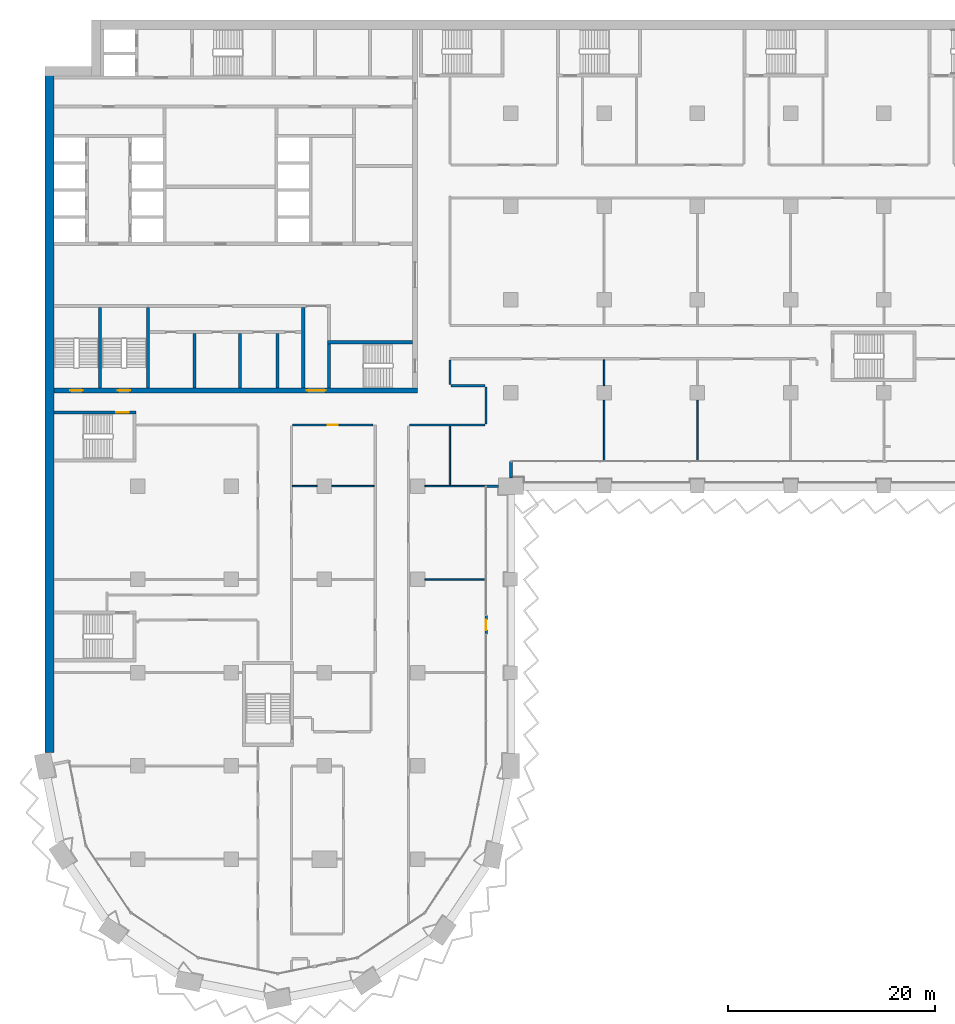
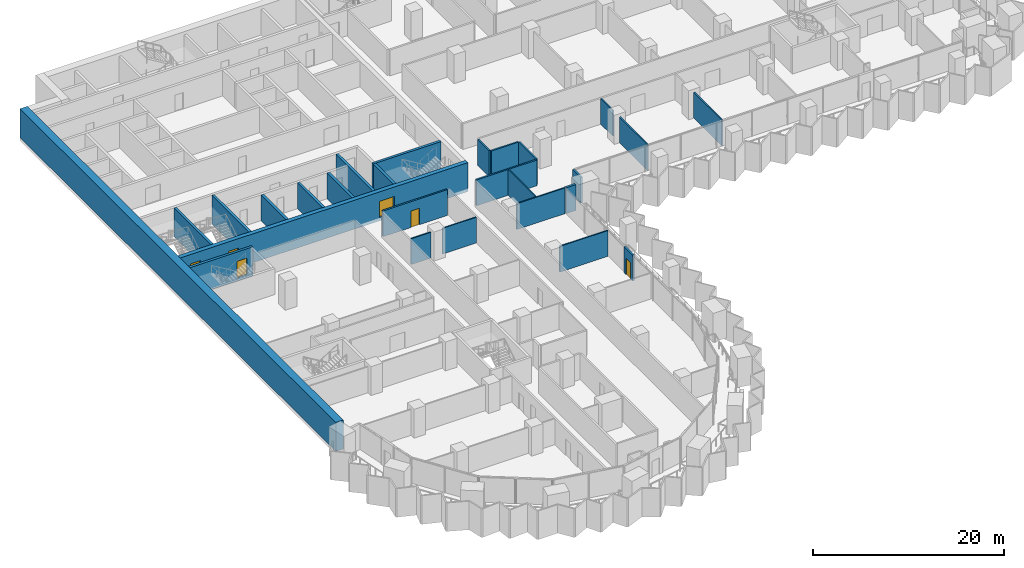
# One storey, part 12 of 28: 27 walls, 6 doors, 6 openings.
"""IFC4 building model written with IfcOpenShell, lengths in metres."""

from ifc_helpers import new_model, si_unit, direction, frame, frame_2d, origin, place, context, subcontext, project, spatial, rectangle, extrude, material, layer, layer_set, type_object, element, fill, save


model = new_model("IFC4")

# Units and contexts
model_context = context("Model", 3, precision=1e-05, world=origin(), true_north=direction((0.0, 1.0)))
body_context = subcontext(model_context, "Body", "Model", "MODEL_VIEW")
ifc_project = project(units=[si_unit("LENGTHUNIT", "METRE"), si_unit("AREAUNIT", "SQUARE_METRE"), si_unit("VOLUMEUNIT", "CUBIC_METRE"), si_unit("PLANEANGLEUNIT", "RADIAN"), si_unit("MASSUNIT", "GRAM", prefix="KILO")], contexts=[model_context])

# Site, building, storey
site_placement = place(None, origin())
site = spatial("IfcSite", under=ifc_project, at=site_placement, CompositionType="ELEMENT")
building_placement = place(site_placement, origin())
building = spatial("IfcBuilding", under=site, at=building_placement, Name="Hunhe Ridgeline Campus", CompositionType="ELEMENT")
storey_placement = place(building_placement, frame((0.0, 0.0, 58.0)))
storey = spatial("IfcBuildingStorey", under=building, at=storey_placement, Name="L13", CompositionType="ELEMENT", Elevation=58.0)

# Walls
ifc_material_1 = material(Name="Masonry concrete blockwork", Category="masonry")
ifc_layer_1 = layer(ifc_material_1, 0.300048828125)
ifc_layer_set_1 = layer_set([ifc_layer_1], Name="Core room partition 300 concrete block")
wall_type_1 = type_object("IfcWallType", Name="Core room partition 300 concrete block", PredefinedType="PARTITIONING", material=ifc_layer_set_1)
for number, where, z_axis, x_axis, name in (
    (1, (14.449951171875, 63.5, 0.0), (0.0, 0.0, 1.0), (0.0, 1.0, 0.0), "L13 core partition 47"),
    (2, (18.85009765625, 63.5, 0.0), (0.0, 0.0, 1.0), (0.0, 1.0, 0.0), "L13 core partition 48"),
    (3, (22.449951171875, 63.5, 0.0), (0.0, 0.0, 1.0), (0.0, 1.0, 0.0), "L13 core partition 53"),
):
    element("IfcWall", number, at=place(storey_placement, frame(where, z_axis=z_axis, x_axis=x_axis)), inside=storey, type_object=wall_type_1, Name=name, PredefinedType="PARTITIONING", context=body_context, shape_type="SweptSolid", body=[
        extrude(rectangle(XDim=5.25, YDim=0.300048828125, at=frame_2d((2.625, 0.0))), origin(), (0.0, 0.0, 1.0), 3.300048828125),
    ])
wall_1_placement = place(storey_placement, frame((24.949951171875, 63.5, 0.0), z_axis=(0.0, 0.0, 1.0), x_axis=(0.0, 1.0, 0.0)))
element("IfcWall", 4, at=wall_1_placement, inside=storey, type_object=wall_type_1, Name="L13 core partition 55", PredefinedType="PARTITIONING", context=body_context, shape_type="SweptSolid", body=[
    extrude(rectangle(XDim=7.75, YDim=0.300048828125, at=frame_2d((3.875, 0.0))), origin(), (0.0, 0.0, 1.0), 3.300048828125),
])

# Wall, openings, doors
ifc_material_2 = material(Name="Concrete C80", Category="concrete")
ifc_layer_2 = layer(ifc_material_2, 0.5)
ifc_layer_set_2 = layer_set([ifc_layer_2], Name="Core wall 500 reinforced concrete C80")
wall_type_2 = type_object("IfcWallType", Name="Core wall 500 reinforced concrete C80", PredefinedType="SOLIDWALL", material=ifc_layer_set_2)
wall_2_placement = place(storey_placement, frame((0.89990234375, 63.25, -0.39990234375), z_axis=(0.0, 0.0, 1.0), x_axis=(1.0, 0.0, 0.0)))
wall_2 = element("IfcWall", 5, at=wall_2_placement, inside=storey, type_object=wall_type_2, Name="L13 core wall 7", PredefinedType="SOLIDWALL", context=body_context, shape_type="SweptSolid", body=[
    extrude(rectangle(XDim=35.10009765625, YDim=0.5, at=frame_2d((17.550048828125, 0.0))), origin(), (0.0, 0.0, 1.0), 3.699951171875),
])
opening_1_placement = place(wall_2_placement, frame((24.39990234375, 0.0, 0.39990234375)))
opening_1 = element("IfcOpeningElement", 6, at=opening_1_placement, cuts=wall_2, Name="Opening CD6", PredefinedType="OPENING", context=body_context, shape_type="SweptSolid", body=[
    extrude(rectangle(XDim=1.800048828125, YDim=2.10009765625, at=frame_2d((0.89990234375, 1.050048828125))), frame((0.0, 0.25, 0.0), z_axis=(0.0, -1.0, 0.0), x_axis=(1.0, 0.0, 0.0)), (0.0, 0.0, 1.0), 0.5),
])
opening_2_placement = place(wall_2_placement, frame((1.550048828125, 0.0, 0.39990234375)))
opening_2 = element("IfcOpeningElement", 7, at=opening_2_placement, cuts=wall_2, Name="Opening CD13", PredefinedType="OPENING", context=body_context, shape_type="SweptSolid", body=[
    extrude(rectangle(XDim=1.199951171875, YDim=2.10009765625, at=frame_2d((0.60009765625, 1.050048828125))), frame((0.0, 0.25, 0.0), z_axis=(0.0, -1.0, 0.0), x_axis=(1.0, 0.0, 0.0)), (0.0, 0.0, 1.0), 0.5),
])
opening_3_placement = place(wall_2_placement, frame((6.14990234375, 0.0, 0.39990234375)))
opening_3 = element("IfcOpeningElement", 8, at=opening_3_placement, cuts=wall_2, Name="Opening CD14", PredefinedType="OPENING", context=body_context, shape_type="SweptSolid", body=[
    extrude(rectangle(XDim=1.199951171875, YDim=2.10009765625, at=frame_2d((0.60009765625, 1.050048828125))), frame((0.0, 0.25, 0.0), z_axis=(0.0, -1.0, 0.0), x_axis=(1.0, 0.0, 0.0)), (0.0, 0.0, 1.0), 0.5),
])
ifc_material_3 = material(Name="Anodised aluminium and glass", Category="aluminium")
door_type_1 = type_object("IfcDoorType", Name="Glazed double door 1800x2100", OperationType="DOUBLE_DOOR_SINGLE_SWING", PredefinedType="DOOR", material=ifc_material_3)
door_1_placement = place(opening_1_placement, frame((1.800048828125, 0.0, 0.0), z_axis=(0.0, 0.0, 1.0), x_axis=(-1.0, 0.0, 0.0)))
door_1 = element("IfcDoor", 9, at=door_1_placement, inside=storey, type_object=door_type_1, Name="L13 door VEST-FLOOR", OperationType="DOUBLE_DOOR_SINGLE_SWING", OverallHeight=2.10009765625, OverallWidth=1.800048828125, PredefinedType="DOOR", context=body_context, shape_type="SweptSolid", body=[
    extrude(rectangle(XDim=1.800048828125, YDim=2.10009765625, at=frame_2d((0.89990234375, 1.050048828125))), frame((0.0, 0.02490234375, 0.0), z_axis=(0.0, -1.0, 0.0), x_axis=(1.0, 0.0, 0.0)), (0.0, 0.0, 1.0), 0.050048828125),
])
fill(opening_1, door_1)
ifc_material_4 = material(Name="Hollow metal fire door leaf")
door_type_2 = type_object("IfcDoorType", Name="Stair door 1200x2100 FD60", OperationType="SINGLE_SWING_LEFT", PredefinedType="DOOR", material=ifc_material_4)
door_2_placement = place(opening_2_placement, frame((1.199951171875, 0.0, 0.0), z_axis=(0.0, 0.0, 1.0), x_axis=(-1.0, 0.0, 0.0)))
door_2 = element("IfcDoor", 10, at=door_2_placement, inside=storey, type_object=door_type_2, Name="L13 door S3", OperationType="SINGLE_SWING_RIGHT", OverallHeight=2.10009765625, OverallWidth=1.199951171875, PredefinedType="DOOR", context=body_context, shape_type="SweptSolid", body=[
    extrude(rectangle(XDim=1.199951171875, YDim=2.10009765625, at=frame_2d((0.60009765625, 1.050048828125))), frame((0.0, 0.02490234375, 0.0), z_axis=(0.0, -1.0, 0.0), x_axis=(1.0, 0.0, 0.0)), (0.0, 0.0, 1.0), 0.050048828125),
])
fill(opening_2, door_2)
door_3_placement = place(opening_3_placement, frame((1.199951171875, 0.0, 0.0), z_axis=(0.0, 0.0, 1.0), x_axis=(-1.0, 0.0, 0.0)))
door_3 = element("IfcDoor", 11, at=door_3_placement, inside=storey, type_object=door_type_2, Name="L13 door S4", OperationType="SINGLE_SWING_LEFT", OverallHeight=2.10009765625, OverallWidth=1.199951171875, PredefinedType="DOOR", context=body_context, shape_type="SweptSolid", body=[
    extrude(rectangle(XDim=1.199951171875, YDim=2.10009765625, at=frame_2d((0.60009765625, 1.050048828125))), frame((0.0, 0.02490234375, 0.0), z_axis=(0.0, -1.0, 0.0), x_axis=(1.0, 0.0, 0.0)), (0.0, 0.0, 1.0), 0.050048828125),
])
fill(opening_3, door_3)

# Walls
ifc_material_5 = material(Name="Concrete C30", Category="concrete")
ifc_layer_3 = layer(ifc_material_5, 0.25)
ifc_layer_set_3 = layer_set([ifc_layer_3], Name="Corner return wall 250 Concrete C30")
wall_type_3 = type_object("IfcWallType", Name="Corner return wall 250 Concrete C30", PredefinedType="SOLIDWALL", material=ifc_layer_set_3)
wall_3_placement = place(storey_placement, frame((42.59912109375, 54.0, 0.0), z_axis=(0.0, 0.0, 1.0), x_axis=(0.999999917344, 0.000406586671, 0.0)))
element("IfcWall", 12, at=wall_3_placement, inside=storey, type_object=wall_type_3, Name="Corner return wall 2", PredefinedType="SOLIDWALL", context=body_context, shape_type="SweptSolid", body=[
    extrude(rectangle(XDim=1.200927734375, YDim=0.25, at=frame_2d((0.6005859375, 0.0))), origin(), (0.0, 0.0, 1.0), 3.300048828125),
])
wall_4_placement = place(storey_placement, frame((44.999267578125, 54.800048828125, 0.0), z_axis=(0.0, 0.0, 1.0), x_axis=(0.000152508767, 0.999999988371, 0.0)))
element("IfcWall", 13, at=wall_4_placement, inside=storey, type_object=wall_type_3, Name="Corner return wall 3", PredefinedType="SOLIDWALL", context=body_context, shape_type="SweptSolid", body=[
    extrude(rectangle(XDim=1.600830078125, YDim=0.25, at=frame_2d((0.80029296875, 0.0))), origin(), (0.0, 0.0, 1.0), 3.300048828125),
])

# Wall, opening, door
ifc_material_6 = material(Name="Gypsum board partition")
ifc_layer_4 = layer(ifc_material_6, 0.199951171875)
ifc_layer_set_4 = layer_set([ifc_layer_4], Name="Corridor partition 200 gypsum board on steel studs")
wall_type_4 = type_object("IfcWallType", Name="Corridor partition 200 gypsum board on steel studs", PredefinedType="PARTITIONING", material=ifc_layer_set_4)
wall_5_placement = place(storey_placement, frame((31.6982421875, 59.89990234375, 0.0), z_axis=(0.0, 0.0, 1.0), x_axis=(-1.0, 0.0, 0.0)))
wall_5 = element("IfcWall", 14, at=wall_5_placement, inside=storey, type_object=wall_type_4, Name="F-L13-wall-036", PredefinedType="PARTITIONING", context=body_context, shape_type="SweptSolid", body=[
    extrude(rectangle(XDim=7.79833984375, YDim=0.199951171875, at=frame_2d((3.899169921875, 0.0))), origin(), (0.0, 0.0, 1.0), 3.300048828125),
])
opening_4_placement = place(wall_5_placement, frame((3.399169921875, 0.0, 0.0)))
opening_4 = element("IfcOpeningElement", 15, at=opening_4_placement, cuts=wall_5, Name="Opening RD1-022", PredefinedType="OPENING", context=body_context, shape_type="SweptSolid", body=[
    extrude(rectangle(XDim=1.0, YDim=2.10009765625, at=frame_2d((0.5, 1.050048828125))), frame((0.0, 0.10009765625, 0.0), z_axis=(0.0, -1.0, 0.0), x_axis=(1.0, 0.0, 0.0)), (0.0, 0.0, 1.0), 0.199951171875),
])
ifc_material_7 = material(Name="Timber door leaf", Category="wood")
door_type_3 = type_object("IfcDoorType", Name="Single fire door 1000x2100 timber FD60", OperationType="NOTDEFINED", PredefinedType="DOOR", material=ifc_material_7)
door_4_placement = place(opening_4_placement, origin())
door_4 = element("IfcDoor", 16, at=door_4_placement, inside=storey, type_object=door_type_3, Name="F-L13-door-022", OperationType="SINGLE_SWING_LEFT", OverallHeight=2.10009765625, OverallWidth=1.0, PredefinedType="DOOR", context=body_context, shape_type="SweptSolid", body=[
    extrude(rectangle(XDim=1.0, YDim=2.10009765625, at=frame_2d((0.5, 1.050048828125))), frame((0.0, 0.02490234375, 0.0), z_axis=(0.0, -1.0, 0.0), x_axis=(1.0, 0.0, 0.0)), (0.0, 0.0, 1.0), 0.050048828125),
])
fill(opening_4, door_4)

# Walls
wall_6_placement = place(storey_placement, frame((42.5, 59.89990234375, 0.0), z_axis=(0.0, 0.0, 1.0), x_axis=(-1.0, 0.0, 0.0)))
element("IfcWall", 17, at=wall_6_placement, inside=storey, type_object=wall_type_4, Name="F-L13-wall-037", PredefinedType="PARTITIONING", context=body_context, shape_type="SweptSolid", body=[
    extrude(rectangle(XDim=7.300048828125, YDim=0.199951171875, at=frame_2d((3.64990234375, 0.0))), origin(), (0.0, 0.0, 1.0), 3.300048828125),
])
wall_7_placement = place(storey_placement, frame((39.199951171875, 63.699951171875, 0.0), z_axis=(0.0, 0.0, 1.0), x_axis=(1.0, 0.0, 0.0)))
element("IfcWall", 18, at=wall_7_placement, inside=storey, type_object=wall_type_4, Name="F-L13-wall-038", PredefinedType="PARTITIONING", context=body_context, shape_type="SweptSolid", body=[
    extrude(rectangle(XDim=3.300048828125, YDim=0.199951171875, at=frame_2d((1.64990234375, 0.0))), origin(), (0.0, 0.0, 1.0), 3.300048828125),
])
wall_8_placement = place(storey_placement, frame((39.10009765625, 66.174560546875, 0.0), z_axis=(0.0, 0.0, 1.0), x_axis=(0.0, -1.0, 0.0)))
element("IfcWall", 19, at=wall_8_placement, inside=storey, type_object=wall_type_4, Name="F-L13-wall-062", PredefinedType="PARTITIONING", context=body_context, shape_type="SweptSolid", body=[
    extrude(rectangle(XDim=2.37451171875, YDim=0.199951171875, at=frame_2d((1.187255859375, 0.0))), origin(), (0.0, 0.0, 1.0), 3.300048828125),
])
wall_9_placement = place(storey_placement, frame((42.60009765625, 63.60009765625, 0.0), z_axis=(0.0, 0.0, 1.0), x_axis=(0.0, -1.0, 0.0)))
element("IfcWall", 20, at=wall_9_placement, inside=storey, type_object=wall_type_4, Name="F-L13-wall-065", PredefinedType="PARTITIONING", context=body_context, shape_type="SweptSolid", body=[
    extrude(rectangle(XDim=3.60009765625, YDim=0.199951171875, at=frame_2d((1.800048828125, 0.0))), origin(), (0.0, 0.0, 1.0), 3.300048828125),
])

# Wall, opening, door
ifc_layer_5 = layer(ifc_material_5, 0.25)
ifc_layer_set_5 = layer_set([ifc_layer_5], Name="Loggia door pier wall 250 Concrete C30")
wall_type_5 = type_object("IfcWallType", Name="Loggia door pier wall 250 Concrete C30", PredefinedType="SOLIDWALL", material=ifc_layer_set_5)
wall_10_placement = place(storey_placement, frame((42.59912109375, 39.71826171875, 0.0), z_axis=(0.0, 0.0, 1.0), x_axis=(0.0, 1.0, 0.0)))
wall_10 = element("IfcWall", 21, at=wall_10_placement, inside=storey, type_object=wall_type_5, Name="Loggia door pier 3", PredefinedType="SOLIDWALL", context=body_context, shape_type="SweptSolid", body=[
    extrude(rectangle(XDim=1.800048828125, YDim=0.25, at=frame_2d((0.89990234375, 0.0))), origin(), (0.0, 0.0, 1.0), 3.300048828125),
])
opening_5_placement = place(wall_10_placement, frame((0.39990234375, 0.0, 0.0)))
opening_5 = element("IfcOpeningElement", 22, at=opening_5_placement, cuts=wall_10, Name="Opening BD105", PredefinedType="OPENING", context=body_context, shape_type="SweptSolid", body=[
    extrude(rectangle(XDim=1.0, YDim=2.10009765625, at=frame_2d((0.5, 1.050048828125))), frame((0.0, 0.125, 0.0), z_axis=(0.0, -1.0, 0.0), x_axis=(1.0, 0.0, 0.0)), (0.0, 0.0, 1.0), 0.25),
])
ifc_material_8 = material(Name="Aluminium 6063", Category="aluminium")
door_type_4 = type_object("IfcDoorType", Name="Loggia glazed door 1000x2100", OperationType="NOTDEFINED", PredefinedType="DOOR", material=ifc_material_8)
door_5_placement = place(opening_5_placement, frame((1.0, 0.0, 0.0), z_axis=(0.0, 0.0, 1.0), x_axis=(-1.0, 0.0, 0.0)))
door_5 = element("IfcDoor", 23, at=door_5_placement, inside=storey, type_object=door_type_4, Name="Loggia door BD105", OperationType="SINGLE_SWING_RIGHT", OverallHeight=2.10009765625, OverallWidth=1.0, PredefinedType="DOOR", context=body_context, shape_type="SweptSolid", body=[
    extrude(rectangle(XDim=1.0, YDim=2.10009765625, at=frame_2d((0.5, 1.050048828125))), frame((0.0, 0.02490234375, 0.0), z_axis=(0.0, -1.0, 0.0), x_axis=(1.0, 0.0, 0.0)), (0.0, 0.0, 1.0), 0.050048828125),
])
fill(opening_5, door_5)

# Walls
ifc_layer_6 = layer(ifc_material_6, 0.14990234375)
ifc_layer_set_6 = layer_set([ifc_layer_6], Name="Room partition 150 gypsum board on steel studs")
wall_type_6 = type_object("IfcWallType", Name="Room partition 150 gypsum board on steel studs", PredefinedType="PARTITIONING", material=ifc_layer_set_6)
wall_11_placement = place(storey_placement, frame((36.699951171875, 45.0, 0.0), z_axis=(0.0, 0.0, 1.0), x_axis=(1.0, 0.0, 0.0)))
element("IfcWall", 24, at=wall_11_placement, inside=storey, type_object=wall_type_6, Name="F-L13-wall-030", PredefinedType="PARTITIONING", context=body_context, shape_type="SweptSolid", body=[
    extrude(rectangle(XDim=5.844970703125, YDim=0.14990234375, at=frame_2d((2.92236328125, 0.0))), origin(), (0.0, 0.0, 1.0), 3.300048828125),
])
wall_12_placement = place(storey_placement, frame((23.89990234375, 54.0, 0.0), z_axis=(0.0, 0.0, 1.0), x_axis=(1.0, 0.0, 0.0)))
element("IfcWall", 25, at=wall_12_placement, inside=storey, type_object=wall_type_6, Name="F-L13-wall-031", PredefinedType="PARTITIONING", context=body_context, shape_type="SweptSolid", body=[
    extrude(rectangle(XDim=2.400146484375, YDim=0.14990234375, at=frame_2d((1.2001953125, 0.0))), origin(), (0.0, 0.0, 1.0), 3.300048828125),
])
wall_13_placement = place(storey_placement, frame((27.699951171875, 54.0, 0.0), z_axis=(0.0, 0.0, 1.0), x_axis=(1.0, 0.0, 0.0)))
element("IfcWall", 26, at=wall_13_placement, inside=storey, type_object=wall_type_6, Name="F-L13-wall-032", PredefinedType="PARTITIONING", context=body_context, shape_type="SweptSolid", body=[
    extrude(rectangle(XDim=4.10009765625, YDim=0.14990234375, at=frame_2d((2.050048828125, 0.0))), origin(), (0.0, 0.0, 1.0), 3.300048828125),
])
wall_14_placement = place(storey_placement, frame((36.699951171875, 54.0, 0.0), z_axis=(0.0, 0.0, 1.0), x_axis=(1.0, 0.0, 0.0)))
element("IfcWall", 27, at=wall_14_placement, inside=storey, type_object=wall_type_6, Name="F-L13-wall-033", PredefinedType="PARTITIONING", context=body_context, shape_type="SweptSolid", body=[
    extrude(rectangle(XDim=5.844970703125, YDim=0.14990234375, at=frame_2d((2.92236328125, 0.0))), origin(), (0.0, 0.0, 1.0), 3.300048828125),
])
wall_15_placement = place(storey_placement, frame((39.10009765625, 59.800048828125, 0.0), z_axis=(0.0, 0.0, 1.0), x_axis=(0.0, -1.0, 0.0)))
element("IfcWall", 28, at=wall_15_placement, inside=storey, type_object=wall_type_6, Name="F-L13-wall-061", PredefinedType="PARTITIONING", context=body_context, shape_type="SweptSolid", body=[
    extrude(rectangle(XDim=5.72509765625, YDim=0.14990234375, at=frame_2d((2.862548828125, 0.0))), origin(), (0.0, 0.0, 1.0), 3.300048828125),
])
wall_16_placement = place(storey_placement, frame((54.0, 62.300048828125, 0.0), z_axis=(0.0, 0.0, 1.0), x_axis=(0.0, -1.0, 0.0)))
element("IfcWall", 29, at=wall_16_placement, inside=storey, type_object=wall_type_6, Name="F-L13-wall-068", PredefinedType="PARTITIONING", context=body_context, shape_type="SweptSolid", body=[
    extrude(rectangle(XDim=5.84521484375, YDim=0.14990234375, at=frame_2d((2.922607421875, 0.0))), origin(), (0.0, 0.0, 1.0), 3.300048828125),
])
wall_17_placement = place(storey_placement, frame((54.0, 66.199951171875, 0.0), z_axis=(0.0, 0.0, 1.0), x_axis=(0.0, -1.0, 0.0)))
element("IfcWall", 30, at=wall_17_placement, inside=storey, type_object=wall_type_6, Name="F-L13-wall-069", PredefinedType="PARTITIONING", context=body_context, shape_type="SweptSolid", body=[
    extrude(rectangle(XDim=2.5, YDim=0.14990234375, at=frame_2d((1.25, 0.0))), origin(), (0.0, 0.0, 1.0), 3.300048828125),
])
wall_18_placement = place(storey_placement, frame((63.0, 62.300048828125, 0.0), z_axis=(0.0, 0.0, 1.0), x_axis=(0.0, -1.0, 0.0)))
element("IfcWall", 31, at=wall_18_placement, inside=storey, type_object=wall_type_6, Name="F-L13-wall-073", PredefinedType="PARTITIONING", context=body_context, shape_type="SweptSolid", body=[
    extrude(rectangle(XDim=5.84521484375, YDim=0.14990234375, at=frame_2d((2.922607421875, 0.0))), origin(), (0.0, 0.0, 1.0), 3.300048828125),
])
ifc_layer_7 = layer(ifc_material_2, 0.89990234375)
ifc_layer_set_7 = layer_set([ifc_layer_7], Name="Spine wall 900 Concrete C80")
wall_type_7 = type_object("IfcWallType", Name="Spine wall 900 Concrete C80", PredefinedType="SHEAR", material=ifc_layer_set_7)
wall_19_placement = place(storey_placement, frame((0.449951171875, 94.5, 0.0), z_axis=(0.0, 0.0, 1.0), x_axis=(0.0, -1.0, 0.0)))
element("IfcWall", 32, at=wall_19_placement, inside=storey, type_object=wall_type_7, Name="Spine wall SW1-1 L13", PredefinedType="SHEAR", context=body_context, shape_type="SweptSolid", body=[
    extrude(rectangle(XDim=66.18701171875, YDim=0.89990234375, at=frame_2d((33.093505859375, 0.0))), origin(), (0.0, 0.0, 1.0), 3.699951171875),
])

# Wall, opening, door
ifc_layer_8 = layer(ifc_material_2, 0.300048828125)
ifc_layer_set_8 = layer_set([ifc_layer_8], Name="Stair wall 300 reinforced concrete C80")
wall_type_8 = type_object("IfcWallType", Name="Stair wall 300 reinforced concrete C80", PredefinedType="SOLIDWALL", material=ifc_layer_set_8)
wall_20_placement = place(storey_placement, frame((0.89990234375, 61.10009765625, -0.39990234375), z_axis=(0.0, 0.0, 1.0), x_axis=(1.0, 0.0, 0.0)))
wall_20 = element("IfcWall", 33, at=wall_20_placement, inside=storey, type_object=wall_type_8, Name="L13 core wall 6", PredefinedType="SOLIDWALL", context=body_context, shape_type="SweptSolid", body=[
    extrude(rectangle(XDim=7.900146484375, YDim=0.300048828125, at=frame_2d((3.9501953125, 0.0))), origin(), (0.0, 0.0, 1.0), 3.699951171875),
])
opening_6_placement = place(wall_20_placement, frame((6.0, 0.0, 0.39990234375)))
opening_6 = element("IfcOpeningElement", 34, at=opening_6_placement, cuts=wall_20, Name="Opening CD22", PredefinedType="OPENING", context=body_context, shape_type="SweptSolid", body=[
    extrude(rectangle(XDim=1.199951171875, YDim=2.10009765625, at=frame_2d((0.60009765625, 1.050048828125))), frame((0.0, 0.14990234375, 0.0), z_axis=(0.0, -1.0, 0.0), x_axis=(1.0, 0.0, 0.0)), (0.0, 0.0, 1.0), 0.300048828125),
])
door_6_placement = place(opening_6_placement, origin())
door_6 = element("IfcDoor", 35, at=door_6_placement, inside=storey, type_object=door_type_2, Name="L13 door W2", OperationType="SINGLE_SWING_RIGHT", OverallHeight=2.10009765625, OverallWidth=1.199951171875, PredefinedType="DOOR", context=body_context, shape_type="SweptSolid", body=[
    extrude(rectangle(XDim=1.199951171875, YDim=2.10009765625, at=frame_2d((0.60009765625, 1.050048828125))), frame((0.0, 0.02490234375, 0.0), z_axis=(0.0, -1.0, 0.0), x_axis=(1.0, 0.0, 0.0)), (0.0, 0.0, 1.0), 0.050048828125),
])
fill(opening_6, door_6)

# Walls
wall_21_placement = place(storey_placement, frame((27.300048828125, 67.89990234375, -0.39990234375), z_axis=(0.0, 0.0, 1.0), x_axis=(1.0, 0.0, 0.0)))
element("IfcWall", 36, at=wall_21_placement, inside=storey, type_object=wall_type_8, Name="L13 core wall 9", PredefinedType="SOLIDWALL", context=body_context, shape_type="SweptSolid", body=[
    extrude(rectangle(XDim=8.199951171875, YDim=0.300048828125, at=frame_2d((4.10009765625, 0.0))), origin(), (0.0, 0.0, 1.0), 3.699951171875),
])
for number, where, z_axis, x_axis, name in (
    (37, (5.35009765625, 63.5, -0.39990234375), (0.0, 0.0, 1.0), (0.0, 1.0, 0.0), "L13 core wall 37"),
    (38, (9.949951171875, 63.5, -0.39990234375), (0.0, 0.0, 1.0), (0.0, 1.0, 0.0), "L13 core wall 43"),
):
    element("IfcWall", number, at=place(storey_placement, frame(where, z_axis=z_axis, x_axis=x_axis)), inside=storey, type_object=wall_type_8, Name=name, PredefinedType="SOLIDWALL", context=body_context, shape_type="SweptSolid", body=[
        extrude(rectangle(XDim=7.75, YDim=0.300048828125, at=frame_2d((3.875, 0.0))), origin(), (0.0, 0.0, 1.0), 3.699951171875),
    ])
wall_22_placement = place(storey_placement, frame((27.449951171875, 63.5, -0.39990234375), z_axis=(0.0, 0.0, 1.0), x_axis=(0.0, 1.0, 0.0)))
element("IfcWall", 39, at=wall_22_placement, inside=storey, type_object=wall_type_8, Name="L13 core wall 58", PredefinedType="SOLIDWALL", context=body_context, shape_type="SweptSolid", body=[
    extrude(rectangle(XDim=4.25, YDim=0.300048828125, at=frame_2d((2.125, 0.0))), origin(), (0.0, 0.0, 1.0), 3.699951171875),
])

save(model, "model.ifc")
